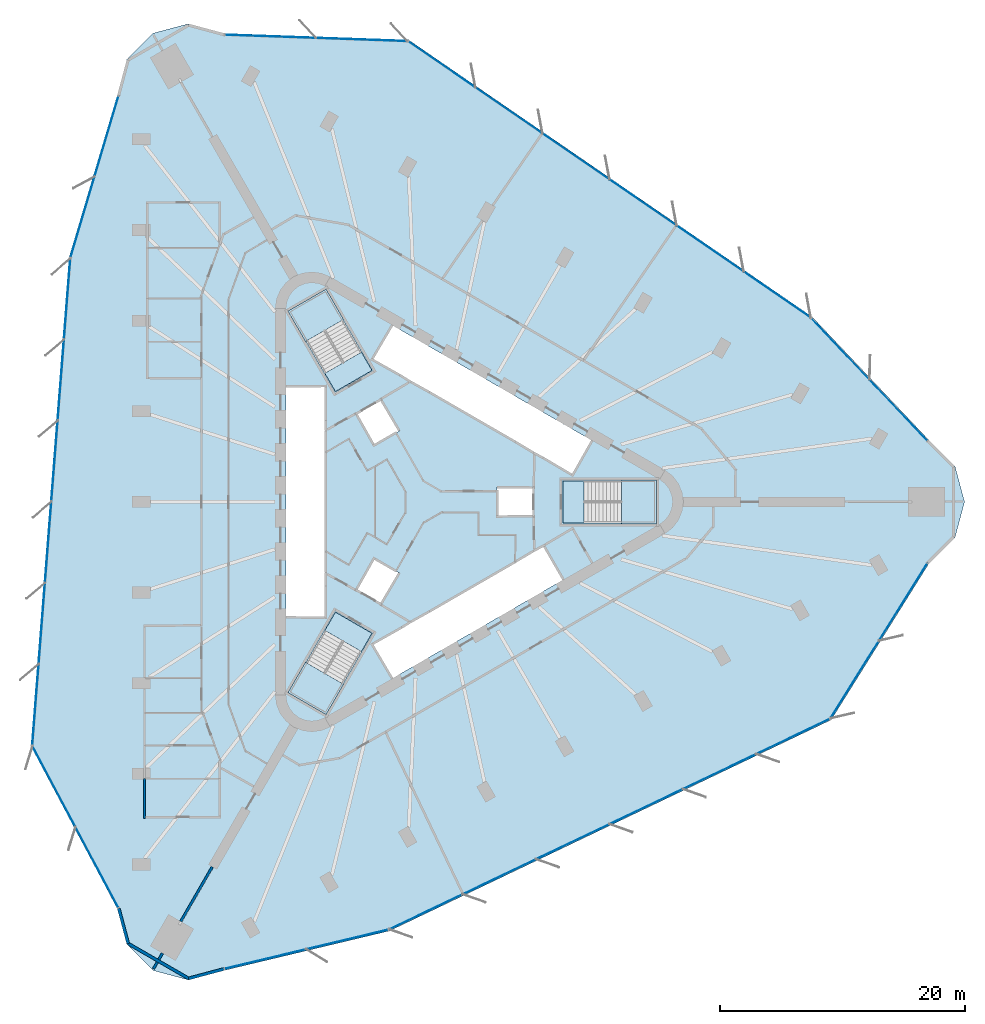
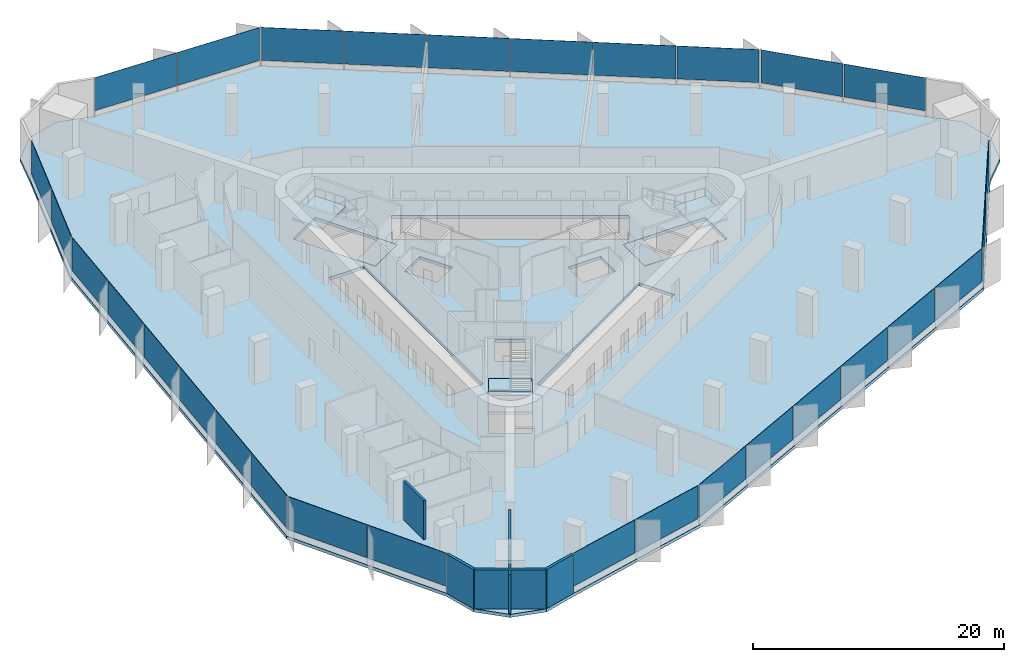
# One storey, part 8 of 15: 30 plates, 7 slabs, 7 walls, 12 elements without a shape of their own.
"""IFC4 building model written with IfcOpenShell, lengths in metres."""

from ifc_helpers import new_model, si_unit, direction, frame, frame_2d, origin, origin_2d, place, context, subcontext, project, spatial, polyline, rectangle, outline, extrude, material, layer, layer_set, type_object, element, aggregate, save


model = new_model("IFC4")

# Units and contexts
model_context = context("Model", 3, precision=1e-05, world=origin(), true_north=direction((0.0, 1.0)))
body_context = subcontext(model_context, "Body", "Model", "MODEL_VIEW")
ifc_project = project(units=[si_unit("LENGTHUNIT", "METRE"), si_unit("AREAUNIT", "SQUARE_METRE"), si_unit("VOLUMEUNIT", "CUBIC_METRE"), si_unit("PLANEANGLEUNIT", "RADIAN"), si_unit("MASSUNIT", "GRAM", prefix="KILO")], contexts=[model_context])

# Site, building, storey
site_placement = place(None, origin())
site = spatial("IfcSite", under=ifc_project, at=site_placement, CompositionType="ELEMENT")
building_placement = place(site_placement, origin())
building = spatial("IfcBuilding", under=site, at=building_placement, Name="Tanit Gate Tower", CompositionType="ELEMENT")
storey_placement = place(building_placement, frame((0.0, 0.0, 94.699951171875)))
storey = spatial("IfcBuildingStorey", under=building, at=storey_placement, Name="L19", CompositionType="ELEMENT", Elevation=94.699951171875)

# Slab
ifc_material_1 = material(Name="Concrete C35/45", Category="concrete")
ifc_layer_1 = layer(ifc_material_1, 0.300048828125)
ifc_layer_set_1 = layer_set([ifc_layer_1], Name="FLOOR SLAB 300 C35/45")
slab_type_1 = type_object("IfcSlabType", Name="FLOOR SLAB 300 C35/45", PredefinedType="FLOOR", material=ifc_layer_set_1)
slab_1_placement = place(storey_placement, frame((0.0, 0.0, -0.300048828125)))
element("IfcSlab", 1, at=slab_1_placement, inside=storey, type_object=slab_type_1, Name="FLOOR SLAB L19", PredefinedType="FLOOR", context=body_context, shape_type="SweptSolid", body=[
    extrude(outline(polyline([(41.213134765625, 5.0361328125), (43.341552734375, 2.90771484375), (44.12060546875, 0.0), (43.341552734375, -2.90771484375), (41.213134765625, -5.0361328125), (33.24853515625, -17.77978515625), (-2.780517578125, -34.9921875), (-16.2451171875, -38.209716796875), (-19.15283203125, -38.98876953125), (-22.060302734375, -38.209716796875), (-24.188720703125, -36.081298828125), (-24.968017578125, -33.173583984375), (-32.02197265625, -19.904296875), (-28.913818359375, 19.904296875), (-24.968017578125, 33.173583984375), (-24.188720703125, 36.081298828125), (-22.060302734375, 38.209716796875), (-19.15283203125, 38.98876953125), (-16.2451171875, 38.209716796875), (-1.2265625, 37.683837890625), (31.694580078125, 15.088134765625), (41.213134765625, 5.0361328125)]), holes=[polyline([(11.3701171875, 1.72998046875), (18.929931640625, 1.72998046875), (18.929931640625, -1.72998046875), (11.3701171875, -1.72998046875), (11.3701171875, 1.72998046875)]), polyline([(-4.208984375, 11.60986328125), (-2.583984375, 14.424560546875), (13.783935546875, 4.974609375), (12.158935546875, 2.159912109375), (-4.208984375, 11.60986328125)]), polyline([(-4.208984375, -11.60986328125), (9.82080078125, -3.510009765625), (11.44580078125, -6.324462890625), (-2.583984375, -14.424560546875), (-4.208984375, -11.60986328125)]), polyline([(9.0, 1.199951171875), (9.0, -1.199951171875), (6.0, -1.199951171875), (6.0, 1.199951171875), (9.0, 1.199951171875)]), polyline([(-5.539306640625, 7.194091796875), (-3.460693359375, 8.394287109375), (-1.960693359375, 5.796142578125), (-4.039306640625, 4.59619140625), (-5.539306640625, 7.194091796875)]), polyline([(-1.960693359375, -5.796142578125), (-3.460693359375, -8.394287109375), (-5.539306640625, -7.194091796875), (-4.039306640625, -4.59619140625), (-1.960693359375, -5.796142578125)]), polyline([(-10.963134765625, 15.52880859375), (-7.966796875, 17.2587890625), (-4.186767578125, 10.711669921875), (-7.18310546875, 8.981689453125), (-10.963134765625, 15.52880859375)]), polyline([(-4.186767578125, -10.711669921875), (-7.966796875, -17.2587890625), (-10.963134765625, -15.52880859375), (-7.18310546875, -8.981689453125), (-4.186767578125, -10.711669921875)]), polyline([(-11.199951171875, -9.449951171875), (-11.199951171875, 9.449951171875), (-7.949951171875, 9.449951171875), (-7.949951171875, -9.449951171875), (-11.199951171875, -9.449951171875)])]), origin(), (0.0, 0.0, 1.0), 0.300048828125),
])

# Curtain wall, plates
ifc_material_2 = material(Name="Aluminium bronze anodised and glass", Category="aluminium")
curtain_wall_type = type_object("IfcCurtainWallType", Name="Curtain wall typical low", PredefinedType="NOTDEFINED", material=ifc_material_2)
curtain_wall_1_placement = place(storey_placement, origin())
curtain_wall_1 = element("IfcCurtainWall", 2, at=curtain_wall_1_placement, inside=storey, type_object=curtain_wall_type, Name="Curtain wall L19 NE1", PredefinedType="NOTDEFINED")
ifc_material_3 = material(Name="Glass tinted", Category="glass")
ifc_layer_2 = layer(ifc_material_3, 0.031982421875)
ifc_layer_set_2 = layer_set([ifc_layer_2], Name="Glass panel 32 typical low")
plate_type = type_object("IfcPlateType", Name="Glass panel 32 typical low", PredefinedType="CURTAIN_PANEL", material=ifc_layer_set_2)
plate_1_placement = place(storey_placement, frame((38.735595703125, 7.477783203125, 0.60009765625), z_axis=(0.0, 0.0, 1.0), x_axis=(-0.687581275541, 0.726107422855, 0.0)))
plate_1 = element("IfcPlate", 3, at=plate_1_placement, type_object=plate_type, Name="Glass panel L19 NE1.1", PredefinedType="CURTAIN_PANEL", context=body_context, shape_type="SweptSolid", body=[
    extrude(rectangle(XDim=6.79638671875, YDim=0.031982421875, at=origin_2d()), origin(), (0.0, 0.0, 1.0), 3.199951171875),
])
plate_2_placement = place(storey_placement, frame((34.007568359375, 12.470947265625, 0.60009765625), z_axis=(0.0, 0.0, 1.0), x_axis=(-0.687581275541, 0.726107422855, 0.0)))
plate_2 = element("IfcPlate", 4, at=plate_2_placement, type_object=plate_type, Name="Glass panel L19 NE1.2", PredefinedType="CURTAIN_PANEL", context=body_context, shape_type="SweptSolid", body=[
    extrude(rectangle(XDim=6.79638671875, YDim=0.031982421875, at=origin_2d()), origin(), (0.0, 0.0, 1.0), 3.199951171875),
])
aggregate(curtain_wall_1, [plate_1, plate_2])

curtain_wall_2_placement = place(storey_placement, origin())
curtain_wall_2 = element("IfcCurtainWall", 5, at=curtain_wall_2_placement, inside=storey, type_object=curtain_wall_type, Name="Curtain wall L19 NE2", PredefinedType="NOTDEFINED")
plate_3_placement = place(storey_placement, frame((28.848388671875, 16.89599609375, 0.60009765625), z_axis=(0.0, 0.0, 1.0), x_axis=(-0.824478578624, 0.56589316429, 0.0)))
plate_3 = element("IfcPlate", 6, at=plate_3_placement, type_object=plate_type, Name="Glass panel L19 NE2.1", PredefinedType="CURTAIN_PANEL", context=body_context, shape_type="SweptSolid", body=[
    extrude(rectangle(XDim=6.5537109375, YDim=0.031982421875, at=origin_2d()), origin(), (0.0, 0.0, 1.0), 3.199951171875),
])
plate_4_placement = place(storey_placement, frame((23.379150390625, 20.64990234375, 0.60009765625), z_axis=(0.0, 0.0, 1.0), x_axis=(-0.824478578624, 0.56589316429, 0.0)))
plate_4 = element("IfcPlate", 7, at=plate_4_placement, type_object=plate_type, Name="Glass panel L19 NE2.2", PredefinedType="CURTAIN_PANEL", context=body_context, shape_type="SweptSolid", body=[
    extrude(rectangle(XDim=6.5537109375, YDim=0.031982421875, at=origin_2d()), origin(), (0.0, 0.0, 1.0), 3.199951171875),
])
plate_5_placement = place(storey_placement, frame((17.909912109375, 24.40380859375, 0.60009765625), z_axis=(0.0, 0.0, 1.0), x_axis=(-0.824478578624, 0.56589316429, 0.0)))
plate_5 = element("IfcPlate", 8, at=plate_5_placement, type_object=plate_type, Name="Glass panel L19 NE2.3", PredefinedType="CURTAIN_PANEL", context=body_context, shape_type="SweptSolid", body=[
    extrude(rectangle(XDim=6.5537109375, YDim=0.031982421875, at=origin_2d()), origin(), (0.0, 0.0, 1.0), 3.199951171875),
])
plate_6_placement = place(storey_placement, frame((12.440673828125, 28.15771484375, 0.60009765625), z_axis=(0.0, 0.0, 1.0), x_axis=(-0.824478578624, 0.56589316429, 0.0)))
plate_6 = element("IfcPlate", 9, at=plate_6_placement, type_object=plate_type, Name="Glass panel L19 NE2.4", PredefinedType="CURTAIN_PANEL", context=body_context, shape_type="SweptSolid", body=[
    extrude(rectangle(XDim=6.5537109375, YDim=0.031982421875, at=origin_2d()), origin(), (0.0, 0.0, 1.0), 3.199951171875),
])
plate_7_placement = place(storey_placement, frame((6.97119140625, 31.91162109375, 0.60009765625), z_axis=(0.0, 0.0, 1.0), x_axis=(-0.824478578624, 0.56589316429, 0.0)))
plate_7 = element("IfcPlate", 10, at=plate_7_placement, type_object=plate_type, Name="Glass panel L19 NE2.5", PredefinedType="CURTAIN_PANEL", context=body_context, shape_type="SweptSolid", body=[
    extrude(rectangle(XDim=6.5537109375, YDim=0.031982421875, at=origin_2d()), origin(), (0.0, 0.0, 1.0), 3.199951171875),
])
plate_8_placement = place(storey_placement, frame((1.501953125, 35.66552734375, 0.60009765625), z_axis=(0.0, 0.0, 1.0), x_axis=(-0.824478578624, 0.56589316429, 0.0)))
plate_8 = element("IfcPlate", 11, at=plate_8_placement, type_object=plate_type, Name="Glass panel L19 NE2.6", PredefinedType="CURTAIN_PANEL", context=body_context, shape_type="SweptSolid", body=[
    extrude(rectangle(XDim=6.5537109375, YDim=0.031982421875, at=origin_2d()), origin(), (0.0, 0.0, 1.0), 3.199951171875),
])
aggregate(curtain_wall_2, [plate_3, plate_4, plate_5, plate_6, plate_7, plate_8])

curtain_wall_3_placement = place(storey_placement, origin())
curtain_wall_3 = element("IfcCurtainWall", 12, at=curtain_wall_3_placement, inside=storey, type_object=curtain_wall_type, Name="Curtain wall L19 NE3", PredefinedType="NOTDEFINED")
plate_9_placement = place(storey_placement, frame((-5.034912109375, 37.697265625, 0.60009765625), z_axis=(0.0, 0.0, 1.0), x_axis=(-0.999387824997, 0.034985357634, 0.0)))
plate_9 = element("IfcPlate", 13, at=plate_9_placement, type_object=plate_type, Name="Glass panel L19 NE3.1", PredefinedType="CURTAIN_PANEL", context=body_context, shape_type="SweptSolid", body=[
    extrude(rectangle(XDim=7.38330078125, YDim=0.031982421875, at=origin_2d()), origin(), (0.0, 0.0, 1.0), 3.199951171875),
])
plate_10_placement = place(storey_placement, frame((-12.49365234375, 37.958251953125, 0.60009765625), z_axis=(0.0, 0.0, 1.0), x_axis=(-0.999387824997, 0.034985357634, 0.0)))
plate_10 = element("IfcPlate", 14, at=plate_10_placement, type_object=plate_type, Name="Glass panel L19 NE3.2", PredefinedType="CURTAIN_PANEL", context=body_context, shape_type="SweptSolid", body=[
    extrude(rectangle(XDim=7.38330078125, YDim=0.031982421875, at=origin_2d()), origin(), (0.0, 0.0, 1.0), 3.199951171875),
])
aggregate(curtain_wall_3, [plate_9, plate_10])

curtain_wall_4_placement = place(storey_placement, origin())
curtain_wall_4 = element("IfcCurtainWall", 15, at=curtain_wall_4_placement, inside=storey, type_object=curtain_wall_type, Name="Curtain wall L19 W1", PredefinedType="NOTDEFINED")
plate_11_placement = place(storey_placement, frame((-25.84375, 29.80712890625, 0.60009765625), z_axis=(0.0, 0.0, 1.0), x_axis=(-0.285036836298, -0.958516563213, 0.0)))
plate_11 = element("IfcPlate", 16, at=plate_11_placement, type_object=plate_type, Name="Glass panel L19 W1.1", PredefinedType="CURTAIN_PANEL", context=body_context, shape_type="SweptSolid", body=[
    extrude(rectangle(XDim=6.79638671875, YDim=0.031982421875, at=origin_2d()), origin(), (0.0, 0.0, 1.0), 3.199951171875),
])
plate_12_placement = place(storey_placement, frame((-27.803955078125, 23.216064453125, 0.60009765625), z_axis=(0.0, 0.0, 1.0), x_axis=(-0.285036836298, -0.958516563213, 0.0)))
plate_12 = element("IfcPlate", 17, at=plate_12_placement, type_object=plate_type, Name="Glass panel L19 W1.2", PredefinedType="CURTAIN_PANEL", context=body_context, shape_type="SweptSolid", body=[
    extrude(rectangle(XDim=6.79638671875, YDim=0.031982421875, at=origin_2d()), origin(), (0.0, 0.0, 1.0), 3.199951171875),
])
aggregate(curtain_wall_4, [plate_11, plate_12])

curtain_wall_5_placement = place(storey_placement, origin())
curtain_wall_5 = element("IfcCurtainWall", 18, at=curtain_wall_5_placement, inside=storey, type_object=curtain_wall_type, Name="Curtain wall L19 W2", PredefinedType="NOTDEFINED")
plate_13_placement = place(storey_placement, frame((-29.056640625, 16.53564453125, 0.60009765625), z_axis=(0.0, 0.0, 1.0), x_axis=(-0.077838566791, -0.996965976109, 0.0)))
plate_13 = element("IfcPlate", 19, at=plate_13_placement, type_object=plate_type, Name="Glass panel L19 W2.1", PredefinedType="CURTAIN_PANEL", context=body_context, shape_type="SweptSolid", body=[
    extrude(rectangle(XDim=6.5537109375, YDim=0.031982421875, at=origin_2d()), origin(), (0.0, 0.0, 1.0), 3.199951171875),
])
plate_14_placement = place(storey_placement, frame((-29.572998046875, 9.922119140625, 0.60009765625), z_axis=(0.0, 0.0, 1.0), x_axis=(-0.077838566791, -0.996965976109, 0.0)))
plate_14 = element("IfcPlate", 20, at=plate_14_placement, type_object=plate_type, Name="Glass panel L19 W2.2", PredefinedType="CURTAIN_PANEL", context=body_context, shape_type="SweptSolid", body=[
    extrude(rectangle(XDim=6.5537109375, YDim=0.031982421875, at=origin_2d()), origin(), (0.0, 0.0, 1.0), 3.199951171875),
])
plate_15_placement = place(storey_placement, frame((-30.08935546875, 3.30859375, 0.60009765625), z_axis=(0.0, 0.0, 1.0), x_axis=(-0.077838566791, -0.996965976109, 0.0)))
plate_15 = element("IfcPlate", 21, at=plate_15_placement, type_object=plate_type, Name="Glass panel L19 W2.3", PredefinedType="CURTAIN_PANEL", context=body_context, shape_type="SweptSolid", body=[
    extrude(rectangle(XDim=6.5537109375, YDim=0.031982421875, at=origin_2d()), origin(), (0.0, 0.0, 1.0), 3.199951171875),
])
plate_16_placement = place(storey_placement, frame((-30.605712890625, -3.304931640625, 0.60009765625), z_axis=(0.0, 0.0, 1.0), x_axis=(-0.077838566791, -0.996965976109, 0.0)))
plate_16 = element("IfcPlate", 22, at=plate_16_placement, type_object=plate_type, Name="Glass panel L19 W2.4", PredefinedType="CURTAIN_PANEL", context=body_context, shape_type="SweptSolid", body=[
    extrude(rectangle(XDim=6.5537109375, YDim=0.031982421875, at=origin_2d()), origin(), (0.0, 0.0, 1.0), 3.199951171875),
])
plate_17_placement = place(storey_placement, frame((-31.1220703125, -9.91845703125, 0.60009765625), z_axis=(0.0, 0.0, 1.0), x_axis=(-0.077838566791, -0.996965976109, 0.0)))
plate_17 = element("IfcPlate", 23, at=plate_17_placement, type_object=plate_type, Name="Glass panel L19 W2.5", PredefinedType="CURTAIN_PANEL", context=body_context, shape_type="SweptSolid", body=[
    extrude(rectangle(XDim=6.5537109375, YDim=0.031982421875, at=origin_2d()), origin(), (0.0, 0.0, 1.0), 3.199951171875),
])
plate_18_placement = place(storey_placement, frame((-31.63818359375, -16.531982421875, 0.60009765625), z_axis=(0.0, 0.0, 1.0), x_axis=(-0.077838566791, -0.996965976109, 0.0)))
plate_18 = element("IfcPlate", 24, at=plate_18_placement, type_object=plate_type, Name="Glass panel L19 W2.6", PredefinedType="CURTAIN_PANEL", context=body_context, shape_type="SweptSolid", body=[
    extrude(rectangle(XDim=6.5537109375, YDim=0.031982421875, at=origin_2d()), origin(), (0.0, 0.0, 1.0), 3.199951171875),
])
aggregate(curtain_wall_5, [plate_13, plate_14, plate_15, plate_16, plate_17, plate_18])

curtain_wall_6_placement = place(storey_placement, origin())
curtain_wall_6 = element("IfcCurtainWall", 25, at=curtain_wall_6_placement, inside=storey, type_object=curtain_wall_type, Name="Curtain wall L19 W3", PredefinedType="NOTDEFINED")
plate_19_placement = place(storey_placement, frame((-30.129150390625, -23.208984375, 0.60009765625), z_axis=(0.0, 0.0, 1.0), x_axis=(0.469395704027, -0.882987923497, 0.0)))
plate_19 = element("IfcPlate", 26, at=plate_19_placement, type_object=plate_type, Name="Glass panel L19 W3.1", PredefinedType="CURTAIN_PANEL", context=body_context, shape_type="SweptSolid", body=[
    extrude(rectangle(XDim=7.38330078125, YDim=0.031982421875, at=origin_2d()), origin(), (0.0, 0.0, 1.0), 3.199951171875),
])
plate_20_placement = place(storey_placement, frame((-26.6259765625, -29.799072265625, 0.60009765625), z_axis=(0.0, 0.0, 1.0), x_axis=(0.469395704027, -0.882987923497, 0.0)))
plate_20 = element("IfcPlate", 27, at=plate_20_placement, type_object=plate_type, Name="Glass panel L19 W3.2", PredefinedType="CURTAIN_PANEL", context=body_context, shape_type="SweptSolid", body=[
    extrude(rectangle(XDim=7.38330078125, YDim=0.031982421875, at=origin_2d()), origin(), (0.0, 0.0, 1.0), 3.199951171875),
])
aggregate(curtain_wall_6, [plate_19, plate_20])

curtain_wall_7_placement = place(storey_placement, origin())
curtain_wall_7 = element("IfcCurtainWall", 28, at=curtain_wall_7_placement, inside=storey, type_object=curtain_wall_type, Name="Curtain wall L19 SE1", PredefinedType="NOTDEFINED")
plate_21_placement = place(storey_placement, frame((-12.891845703125, -37.284912109375, 0.60009765625), z_axis=(0.0, 0.0, 1.0), x_axis=(0.972618111839, 0.232409140358, 0.0)))
plate_21 = element("IfcPlate", 29, at=plate_21_placement, type_object=plate_type, Name="Glass panel L19 SE1.1", PredefinedType="CURTAIN_PANEL", context=body_context, shape_type="SweptSolid", body=[
    extrude(rectangle(XDim=6.79638671875, YDim=0.031982421875, at=origin_2d()), origin(), (0.0, 0.0, 1.0), 3.199951171875),
])
plate_22_placement = place(storey_placement, frame((-6.20361328125, -35.686767578125, 0.60009765625), z_axis=(0.0, 0.0, 1.0), x_axis=(0.972618111839, 0.232409140358, 0.0)))
plate_22 = element("IfcPlate", 30, at=plate_22_placement, type_object=plate_type, Name="Glass panel L19 SE1.2", PredefinedType="CURTAIN_PANEL", context=body_context, shape_type="SweptSolid", body=[
    extrude(rectangle(XDim=6.79638671875, YDim=0.031982421875, at=origin_2d()), origin(), (0.0, 0.0, 1.0), 3.199951171875),
])
aggregate(curtain_wall_7, [plate_21, plate_22])

curtain_wall_8_placement = place(storey_placement, origin())
curtain_wall_8 = element("IfcCurtainWall", 31, at=curtain_wall_8_placement, inside=storey, type_object=curtain_wall_type, Name="Curtain wall L19 SE2", PredefinedType="NOTDEFINED")
plate_23_placement = place(storey_placement, frame((0.2080078125, -33.431396484375, 0.60009765625), z_axis=(0.0, 0.0, 1.0), x_axis=(0.902317145415, 0.431072811819, 0.0)))
plate_23 = element("IfcPlate", 32, at=plate_23_placement, type_object=plate_type, Name="Glass panel L19 SE2.1", PredefinedType="CURTAIN_PANEL", context=body_context, shape_type="SweptSolid", body=[
    extrude(rectangle(XDim=6.5537109375, YDim=0.031982421875, at=origin_2d()), origin(), (0.0, 0.0, 1.0), 3.199951171875),
])
plate_24_placement = place(storey_placement, frame((6.19384765625, -30.57177734375, 0.60009765625), z_axis=(0.0, 0.0, 1.0), x_axis=(0.902317145415, 0.431072811819, 0.0)))
plate_24 = element("IfcPlate", 33, at=plate_24_placement, type_object=plate_type, Name="Glass panel L19 SE2.2", PredefinedType="CURTAIN_PANEL", context=body_context, shape_type="SweptSolid", body=[
    extrude(rectangle(XDim=6.5537109375, YDim=0.031982421875, at=origin_2d()), origin(), (0.0, 0.0, 1.0), 3.199951171875),
])
plate_25_placement = place(storey_placement, frame((12.179443359375, -27.71240234375, 0.60009765625), z_axis=(0.0, 0.0, 1.0), x_axis=(0.902317145415, 0.431072811819, 0.0)))
plate_25 = element("IfcPlate", 34, at=plate_25_placement, type_object=plate_type, Name="Glass panel L19 SE2.3", PredefinedType="CURTAIN_PANEL", context=body_context, shape_type="SweptSolid", body=[
    extrude(rectangle(XDim=6.5537109375, YDim=0.031982421875, at=origin_2d()), origin(), (0.0, 0.0, 1.0), 3.199951171875),
])
plate_26_placement = place(storey_placement, frame((18.1650390625, -24.852783203125, 0.60009765625), z_axis=(0.0, 0.0, 1.0), x_axis=(0.902317145415, 0.431072811819, 0.0)))
plate_26 = element("IfcPlate", 35, at=plate_26_placement, type_object=plate_type, Name="Glass panel L19 SE2.4", PredefinedType="CURTAIN_PANEL", context=body_context, shape_type="SweptSolid", body=[
    extrude(rectangle(XDim=6.5537109375, YDim=0.031982421875, at=origin_2d()), origin(), (0.0, 0.0, 1.0), 3.199951171875),
])
plate_27_placement = place(storey_placement, frame((24.150634765625, -21.9931640625, 0.60009765625), z_axis=(0.0, 0.0, 1.0), x_axis=(0.902317145415, 0.431072811819, 0.0)))
plate_27 = element("IfcPlate", 36, at=plate_27_placement, type_object=plate_type, Name="Glass panel L19 SE2.5", PredefinedType="CURTAIN_PANEL", context=body_context, shape_type="SweptSolid", body=[
    extrude(rectangle(XDim=6.5537109375, YDim=0.031982421875, at=origin_2d()), origin(), (0.0, 0.0, 1.0), 3.199951171875),
])
plate_28_placement = place(storey_placement, frame((30.13623046875, -19.133544921875, 0.60009765625), z_axis=(0.0, 0.0, 1.0), x_axis=(0.902317145415, 0.431072811819, 0.0)))
plate_28 = element("IfcPlate", 37, at=plate_28_placement, type_object=plate_type, Name="Glass panel L19 SE2.6", PredefinedType="CURTAIN_PANEL", context=body_context, shape_type="SweptSolid", body=[
    extrude(rectangle(XDim=6.5537109375, YDim=0.031982421875, at=origin_2d()), origin(), (0.0, 0.0, 1.0), 3.199951171875),
])
aggregate(curtain_wall_8, [plate_23, plate_24, plate_25, plate_26, plate_27, plate_28])

curtain_wall_9_placement = place(storey_placement, origin())
curtain_wall_9 = element("IfcCurtainWall", 38, at=curtain_wall_9_placement, inside=storey, type_object=curtain_wall_type, Name="Curtain wall L19 SE3", PredefinedType="NOTDEFINED")
plate_29_placement = place(storey_placement, frame((35.164306640625, -14.488037109375, 0.60009765625), z_axis=(0.0, 0.0, 1.0), x_axis=(0.529992120969, 0.848002565863, 0.0)))
plate_29 = element("IfcPlate", 39, at=plate_29_placement, type_object=plate_type, Name="Glass panel L19 SE3.1", PredefinedType="CURTAIN_PANEL", context=body_context, shape_type="SweptSolid", body=[
    extrude(rectangle(XDim=7.38330078125, YDim=0.031982421875, at=origin_2d()), origin(), (0.0, 0.0, 1.0), 3.199951171875),
])
plate_30_placement = place(storey_placement, frame((39.11962890625, -8.1591796875, 0.60009765625), z_axis=(0.0, 0.0, 1.0), x_axis=(0.529992120969, 0.848002565863, 0.0)))
plate_30 = element("IfcPlate", 40, at=plate_30_placement, type_object=plate_type, Name="Glass panel L19 SE3.2", PredefinedType="CURTAIN_PANEL", context=body_context, shape_type="SweptSolid", body=[
    extrude(rectangle(XDim=7.38330078125, YDim=0.031982421875, at=origin_2d()), origin(), (0.0, 0.0, 1.0), 3.199951171875),
])
aggregate(curtain_wall_9, [plate_29, plate_30])

# Stair, slab
ifc_material_4 = material(Name="Concrete C40/50", Category="concrete")
stair_type = type_object("IfcStairType", Name="INT-STAIR-EXIT", PredefinedType="HALF_TURN_STAIR", material=ifc_material_4)
stair_1_placement = place(storey_placement, origin())
stair_1 = element("IfcStair", 41, at=stair_1_placement, inside=storey, type_object=stair_type, Name="L19 STAIR S1", PredefinedType="HALF_TURN_STAIR")
ifc_material_5 = material(Name="Concrete C40/50", Category="concrete")
ifc_layer_3 = layer(ifc_material_5, 0.199951171875)
ifc_layer_set_3 = layer_set([ifc_layer_3], Name="INT-STAIR-LANDING")
slab_type_2 = type_object("IfcSlabType", Name="INT-STAIR-LANDING", PredefinedType="LANDING", material=ifc_layer_set_3)
slab_2_placement = place(storey_placement, frame((0.0, 0.0, 1.85009765625)))
slab_2 = element("IfcSlab", 42, at=slab_2_placement, type_object=slab_type_2, Name="S1 landing 1", PredefinedType="LANDING", context=body_context, shape_type="SweptSolid", body=[
    extrude(outline(polyline([(16.135986328125, -1.800048828125), (19.0, -1.800048828125), (19.0, 1.800048828125), (16.135986328125, 1.800048828125), (16.135986328125, -1.800048828125)])), origin(), (0.0, 0.0, 1.0), 0.199951171875),
])
aggregate(stair_1, [slab_2])

# Slab
slab_3_placement = place(storey_placement, frame((0.0, 0.0, -0.199951171875)))
element("IfcSlab", 43, at=slab_3_placement, inside=storey, type_object=slab_type_2, Name="S1 floor landing", PredefinedType="LANDING", context=body_context, shape_type="SweptSolid", body=[
    extrude(outline(polyline([(11.3798828125, -1.719970703125), (13.10498046875, -1.719970703125), (13.10498046875, 1.719970703125), (11.3798828125, 1.719970703125), (11.3798828125, -1.719970703125)])), origin(), (0.0, 0.0, 1.0), 0.199951171875),
])

# Stair, slab
stair_2_placement = place(storey_placement, origin())
stair_2 = element("IfcStair", 44, at=stair_2_placement, inside=storey, type_object=stair_type, Name="L19 STAIR S2", PredefinedType="HALF_TURN_STAIR")
slab_4_placement = place(storey_placement, frame((0.0, 0.0, 1.85009765625)))
slab_4 = element("IfcSlab", 45, at=slab_4_placement, type_object=slab_type_2, Name="S2 landing 1", PredefinedType="LANDING", context=body_context, shape_type="SweptSolid", body=[
    extrude(outline(polyline([(-6.5078125, 14.871826171875), (-7.941162109375, 17.3544921875), (-11.058837890625, 15.554443359375), (-9.62548828125, 13.07177734375), (-6.5078125, 14.871826171875)])), origin(), (0.0, 0.0, 1.0), 0.199951171875),
])
aggregate(stair_2, [slab_4])

# Slab
slab_5_placement = place(storey_placement, frame((0.0, 0.0, -0.199951171875)))
element("IfcSlab", 46, at=slab_5_placement, inside=storey, type_object=slab_type_2, Name="S2 floor landing", PredefinedType="LANDING", context=body_context, shape_type="SweptSolid", body=[
    extrude(outline(polyline([(-4.200439453125, 10.71533203125), (-5.0625, 12.20849609375), (-8.04150390625, 10.48828125), (-7.179443359375, 8.995361328125), (-4.200439453125, 10.71533203125)])), origin(), (0.0, 0.0, 1.0), 0.199951171875),
])

# Stair, slab
stair_3_placement = place(storey_placement, origin())
stair_3 = element("IfcStair", 47, at=stair_3_placement, inside=storey, type_object=stair_type, Name="L19 STAIR S3", PredefinedType="HALF_TURN_STAIR")
slab_6_placement = place(storey_placement, frame((0.0, 0.0, 1.85009765625)))
slab_6 = element("IfcSlab", 48, at=slab_6_placement, type_object=slab_type_2, Name="S3 landing 1", PredefinedType="LANDING", context=body_context, shape_type="SweptSolid", body=[
    extrude(outline(polyline([(-9.626953125, -13.07421875), (-11.058837890625, -15.554443359375), (-7.941162109375, -17.3544921875), (-6.509033203125, -14.874267578125), (-9.626953125, -13.07421875)])), origin(), (0.0, 0.0, 1.0), 0.199951171875),
])
aggregate(stair_3, [slab_6])

# Slab
slab_7_placement = place(storey_placement, frame((0.0, 0.0, -0.199951171875)))
element("IfcSlab", 49, at=slab_7_placement, inside=storey, type_object=slab_type_2, Name="S3 floor landing", PredefinedType="LANDING", context=body_context, shape_type="SweptSolid", body=[
    extrude(outline(polyline([(-7.179443359375, -8.995361328125), (-8.0419921875, -10.4892578125), (-5.06298828125, -12.209228515625), (-4.200439453125, -10.71533203125), (-7.179443359375, -8.995361328125)])), origin(), (0.0, 0.0, 1.0), 0.199951171875),
])

# Walls
ifc_material_6 = material(Name="Concrete C30/37 with bronze anodised aluminium cladding", Category="concrete")
ifc_layer_4 = layer(ifc_material_6, 0.239990234375)
ifc_layer_set_4 = layer_set([ifc_layer_4], Name="Facade wall bronze clad 240")
wall_type_1 = type_object("IfcWallType", Name="Facade wall bronze clad 240", PredefinedType="SOLIDWALL", material=ifc_layer_set_4)
wall_1_placement = place(storey_placement, frame((-24.85546875, -33.12939453125, 0.0), z_axis=(0.0, 0.0, 1.0), x_axis=(0.258785036271, -0.965934938286, 0.0)))
element("IfcWall", 50, at=wall_1_placement, inside=storey, type_object=wall_type_1, Name="Bronze-clad facade wall L19 SW.arc1", PredefinedType="SOLIDWALL", context=body_context, shape_type="SweptSolid", body=[
    extrude(rectangle(XDim=2.991455078125, YDim=0.239990234375, at=frame_2d((1.49560546875, 0.0))), origin(), (0.0, 0.0, 1.0), 3.800048828125),
])
wall_2_placement = place(storey_placement, frame((-24.081298828125, -36.01904296875, 0.0), z_axis=(0.0, 0.0, 1.0), x_axis=(0.866024844342, -0.500000968981, 0.0)))
element("IfcWall", 51, at=wall_2_placement, inside=storey, type_object=wall_type_1, Name="Bronze-clad facade wall L19 SW.arc2", PredefinedType="SOLIDWALL", context=body_context, shape_type="SweptSolid", body=[
    extrude(rectangle(XDim=5.69091796875, YDim=0.239990234375, at=frame_2d((2.845458984375, 0.0))), origin(), (0.0, 0.0, 1.0), 3.800048828125),
])
wall_3_placement = place(storey_placement, frame((-19.15283203125, -38.864501953125, 0.0), z_axis=(0.0, 0.0, 1.0), x_axis=(0.965922815746, 0.258830280341, 0.0)))
element("IfcWall", 52, at=wall_3_placement, inside=storey, type_object=wall_type_1, Name="Bronze-clad facade wall L19 SW.arc3", PredefinedType="SOLIDWALL", context=body_context, shape_type="SweptSolid", body=[
    extrude(rectangle(XDim=2.979736328125, YDim=0.239990234375, at=frame_2d((1.48974609375, 0.0))), origin(), (0.0, 0.0, 1.0), 3.800048828125),
])
ifc_material_7 = material(Name="Fire-rated gypsum board partition")
ifc_layer_5 = layer(ifc_material_7, 0.199951171875)
ifc_layer_set_5 = layer_set([ifc_layer_5], Name="INT-WALL-COMPARTMENT")
wall_type_2 = type_object("IfcWallType", Name="INT-WALL-COMPARTMENT", PredefinedType="PARTITIONING", material=ifc_layer_set_5)
wall_4_placement = place(storey_placement, frame((-22.020263671875, -38.080078125, 0.0), z_axis=(0.0, 0.0, 1.0), x_axis=(0.499988999718, 0.866031754707, 0.0)))
element("IfcWall", 53, at=wall_4_placement, inside=storey, type_object=wall_type_2, Name="Wall Compartment W118", PredefinedType="PARTITIONING", context=body_context, shape_type="SweptSolid", body=[
    extrude(rectangle(XDim=0.63427734375, YDim=0.199951171875, at=frame_2d((0.317138671875, 0.0))), origin(), (0.0, 0.0, 1.0), 3.800048828125),
])
wall_5_placement = place(storey_placement, frame((-21.5830078125, -37.32275390625, 0.0), z_axis=(0.0, 0.0, 1.0), x_axis=(0.500078724409, 0.865979947454, 0.0)))
element("IfcWall", 54, at=wall_5_placement, inside=storey, type_object=wall_type_2, Name="Wall Compartment W118x1", PredefinedType="PARTITIONING", context=body_context, shape_type="SweptSolid", body=[
    extrude(rectangle(XDim=0.59326171875, YDim=0.199951171875, at=frame_2d((0.296630859375, 0.0))), origin(), (0.0, 0.0, 1.0), 3.800048828125),
])
wall_6_placement = place(storey_placement, frame((-19.786376953125, -34.2109375, 0.0), z_axis=(0.0, 0.0, 1.0), x_axis=(0.499998470576, 0.866026286796, 0.0)))
element("IfcWall", 55, at=wall_6_placement, inside=storey, type_object=wall_type_2, Name="Wall Compartment W119", PredefinedType="PARTITIONING", context=body_context, shape_type="SweptSolid", body=[
    extrude(rectangle(XDim=5.1298828125, YDim=0.199951171875, at=frame_2d((2.56494140625, 0.0))), origin(), (0.0, 0.0, 1.0), 3.3701171875),
])
wall_7_placement = place(storey_placement, frame((-22.75, -25.8125, 0.0), z_axis=(0.0, 0.0, 1.0), x_axis=(0.0, 1.0, 0.0)))
element("IfcWall", 56, at=wall_7_placement, inside=storey, type_object=wall_type_2, Name="Wall Compartment W133", PredefinedType="PARTITIONING", context=body_context, shape_type="SweptSolid", body=[
    extrude(rectangle(XDim=3.235107421875, YDim=0.199951171875, at=frame_2d((1.61767578125, 0.0))), origin(), (0.0, 0.0, 1.0), 3.800048828125),
])

save(model, "model.ifc")
